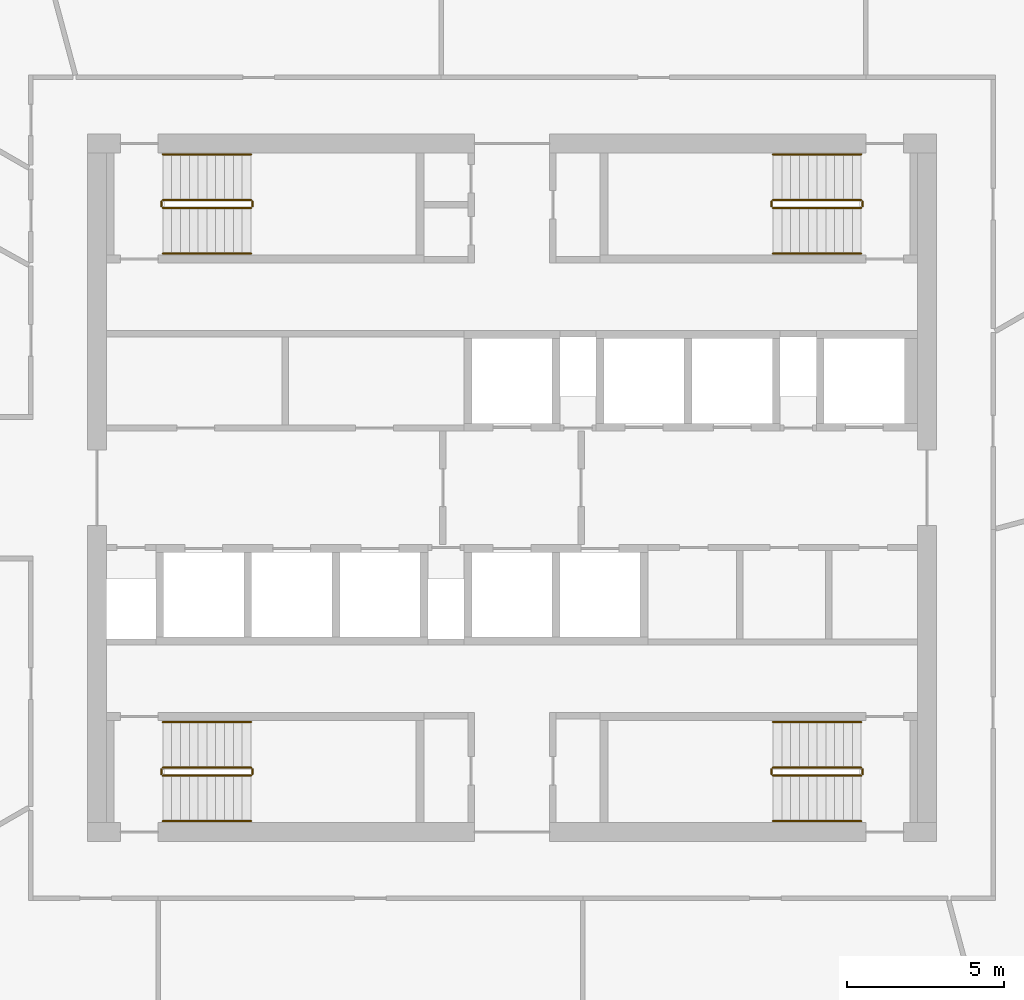
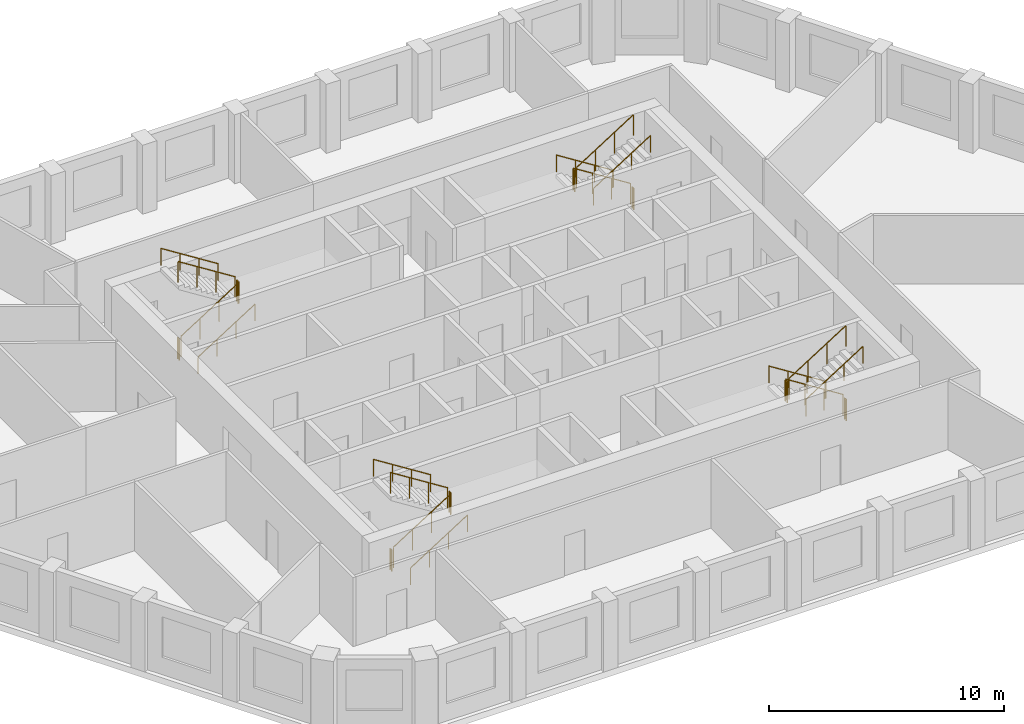
# One storey, part 7 of 7: 24 railings.
"""IFC4 building model written with IfcOpenShell, lengths in metres."""

from ifc_helpers import new_model, si_unit, direction, frame, origin, origin_2d, place, context, subcontext, project, spatial, circle, extrude, material, type_object, element, save


model = new_model("IFC4")

# Units and contexts
model_context = context("Model", 3, precision=1e-05, world=origin(), true_north=direction((0.0, 1.0)))
body_context = subcontext(model_context, "Body", "Model", "MODEL_VIEW")
ifc_project = project(units=[si_unit("LENGTHUNIT", "METRE"), si_unit("AREAUNIT", "SQUARE_METRE"), si_unit("VOLUMEUNIT", "CUBIC_METRE"), si_unit("PLANEANGLEUNIT", "RADIAN"), si_unit("MASSUNIT", "GRAM", prefix="KILO")], contexts=[model_context])

# Site, building, storey
site_placement = place(None, origin())
site = spatial("IfcSite", under=ifc_project, at=site_placement, CompositionType="ELEMENT")
building_placement = place(site_placement, origin())
building = spatial("IfcBuilding", under=site, at=building_placement, Name="Dhurran Vertical Campus", CompositionType="ELEMENT")
storey_placement = place(building_placement, frame((0.0, 0.0, 266.39990234375)))
storey = spatial("IfcBuildingStorey", under=building, at=storey_placement, Name="L66", CompositionType="ELEMENT", Elevation=266.39990234375)

# Railings
ifc_material_1 = material(Name="Stainless steel balustrade", Category="steel")
railing_type_1 = type_object("IfcRailingType", Name="co-RL-GUARD-1100", PredefinedType="GUARDRAIL", material=ifc_material_1)
railing_1_placement = place(storey_placement, frame((-11.10009765625, 8.89990234375, 0.177490234375)))
element("IfcRailing", 1, at=railing_1_placement, inside=storey, type_object=railing_type_1, Name="L66 ST1 stair guard 1", PredefinedType="GUARDRAIL", context=body_context, shape_type="SweptSolid", body=[
    extrude(circle(Radius=0.02392578125, at=origin_2d()), frame((0.0, 0.0, 1.076171875), z_axis=(0.844908973607, 0.0, 0.534910110503), x_axis=(0.0, 1.0, 0.0)), (0.0, 0.0, 1.0), 3.31396484375),
    extrude(circle(Radius=0.02099609375, at=origin_2d()), origin(), (0.0, 0.0, 1.0), 1.052001953125),
    extrude(circle(Radius=0.02099609375, at=origin_2d()), frame((0.933349609375, 0.0, 0.5908203125)), (0.0, 0.0, 1.0), 1.052001953125),
    extrude(circle(Radius=0.02099609375, at=origin_2d()), frame((1.86669921875, 0.0, 1.181884765625)), (0.0, 0.0, 1.0), 1.052001953125),
    extrude(circle(Radius=0.02099609375, at=origin_2d()), frame((2.800048828125, 0.0, 1.772705078125)), (0.0, 0.0, 1.0), 1.052001953125),
])
railing_2_placement = place(storey_placement, frame((-8.25, 8.949951171875, 1.9501953125)))
element("IfcRailing", 2, at=railing_2_placement, inside=storey, type_object=railing_type_1, Name="L66 ST1 stair guard 2", PredefinedType="GUARDRAIL", context=body_context, shape_type="SweptSolid", body=[
    extrude(circle(Radius=0.02392578125, at=origin_2d()), frame((0.0, 0.0, 1.076171875), z_axis=(0.0, 1.0, 0.0), x_axis=(-1.0, 0.0, 0.0)), (0.0, 0.0, 1.0), 0.150146484375),
    extrude(circle(Radius=0.02099609375, at=origin_2d()), origin(), (0.0, 0.0, 1.0), 1.052001953125),
    extrude(circle(Radius=0.02099609375, at=origin_2d()), frame((0.0, 0.150146484375, 0.0)), (0.0, 0.0, 1.0), 1.052001953125),
])
railing_3_placement = place(storey_placement, frame((-8.300048828125, 9.14990234375, 2.12744140625)))
element("IfcRailing", 3, at=railing_3_placement, inside=storey, type_object=railing_type_1, Name="L66 ST1 stair guard 3", PredefinedType="GUARDRAIL", context=body_context, shape_type="SweptSolid", body=[
    extrude(circle(Radius=0.02392578125, at=origin_2d()), frame((0.0, 0.0, 1.076171875), z_axis=(-0.844908973607, 0.0, 0.534910110503), x_axis=(0.0, -1.0, 0.0)), (0.0, 0.0, 1.0), 3.31396484375),
    extrude(circle(Radius=0.02099609375, at=origin_2d()), origin(), (0.0, 0.0, 1.0), 1.052001953125),
    extrude(circle(Radius=0.02099609375, at=origin_2d()), frame((-0.933349609375, 0.0, 0.5908203125)), (0.0, 0.0, 1.0), 1.052001953125),
    extrude(circle(Radius=0.02099609375, at=origin_2d()), frame((-1.86669921875, 0.0, 1.181884765625)), (0.0, 0.0, 1.0), 1.052001953125),
    extrude(circle(Radius=0.02099609375, at=origin_2d()), frame((-2.800048828125, 0.0, 1.772705078125)), (0.0, 0.0, 1.0), 1.052001953125),
])
railing_4_placement = place(storey_placement, frame((-11.14990234375, 8.949951171875, 0.0)))
element("IfcRailing", 4, at=railing_4_placement, inside=storey, type_object=railing_type_1, Name="L66 ST1 stair guard 4", PredefinedType="GUARDRAIL", context=body_context, shape_type="SweptSolid", body=[
    extrude(circle(Radius=0.02392578125, at=origin_2d()), frame((0.0, 0.0, 1.076171875), z_axis=(0.0, 1.0, 0.0), x_axis=(-1.0, 0.0, 0.0)), (0.0, 0.0, 1.0), 0.150146484375),
    extrude(circle(Radius=0.02099609375, at=origin_2d()), origin(), (0.0, 0.0, 1.0), 1.052001953125),
    extrude(circle(Radius=0.02099609375, at=origin_2d()), frame((0.0, 0.150146484375, 0.0)), (0.0, 0.0, 1.0), 1.052001953125),
])
railing_5_placement = place(storey_placement, frame((11.10009765625, 9.14990234375, 0.177490234375)))
element("IfcRailing", 5, at=railing_5_placement, inside=storey, type_object=railing_type_1, Name="L66 ST2 stair guard 1", PredefinedType="GUARDRAIL", context=body_context, shape_type="SweptSolid", body=[
    extrude(circle(Radius=0.02392578125, at=origin_2d()), frame((0.0, 0.0, 1.076171875), z_axis=(-0.844908973607, 0.0, 0.534910110503), x_axis=(0.0, -1.0, 0.0)), (0.0, 0.0, 1.0), 3.31396484375),
    extrude(circle(Radius=0.02099609375, at=origin_2d()), origin(), (0.0, 0.0, 1.0), 1.052001953125),
    extrude(circle(Radius=0.02099609375, at=origin_2d()), frame((-0.933349609375, 0.0, 0.5908203125)), (0.0, 0.0, 1.0), 1.052001953125),
    extrude(circle(Radius=0.02099609375, at=origin_2d()), frame((-1.86669921875, 0.0, 1.181884765625)), (0.0, 0.0, 1.0), 1.052001953125),
    extrude(circle(Radius=0.02099609375, at=origin_2d()), frame((-2.800048828125, 0.0, 1.772705078125)), (0.0, 0.0, 1.0), 1.052001953125),
])
railing_6_placement = place(storey_placement, frame((8.25, 9.10009765625, 1.9501953125)))
element("IfcRailing", 6, at=railing_6_placement, inside=storey, type_object=railing_type_1, Name="L66 ST2 stair guard 2", PredefinedType="GUARDRAIL", context=body_context, shape_type="SweptSolid", body=[
    extrude(circle(Radius=0.02392578125, at=origin_2d()), frame((0.0, 0.0, 1.076171875), z_axis=(0.0, -1.0, 0.0), x_axis=(1.0, 0.0, 0.0)), (0.0, 0.0, 1.0), 0.150146484375),
    extrude(circle(Radius=0.02099609375, at=origin_2d()), origin(), (0.0, 0.0, 1.0), 1.052001953125),
    extrude(circle(Radius=0.02099609375, at=origin_2d()), frame((0.0, -0.150146484375, 0.0)), (0.0, 0.0, 1.0), 1.052001953125),
])
railing_7_placement = place(storey_placement, frame((8.300048828125, 8.89990234375, 2.12744140625)))
element("IfcRailing", 7, at=railing_7_placement, inside=storey, type_object=railing_type_1, Name="L66 ST2 stair guard 3", PredefinedType="GUARDRAIL", context=body_context, shape_type="SweptSolid", body=[
    extrude(circle(Radius=0.02392578125, at=origin_2d()), frame((0.0, 0.0, 1.076171875), z_axis=(0.844908973607, 0.0, 0.534910110503), x_axis=(0.0, 1.0, 0.0)), (0.0, 0.0, 1.0), 3.31396484375),
    extrude(circle(Radius=0.02099609375, at=origin_2d()), origin(), (0.0, 0.0, 1.0), 1.052001953125),
    extrude(circle(Radius=0.02099609375, at=origin_2d()), frame((0.933349609375, 0.0, 0.5908203125)), (0.0, 0.0, 1.0), 1.052001953125),
    extrude(circle(Radius=0.02099609375, at=origin_2d()), frame((1.86669921875, 0.0, 1.181884765625)), (0.0, 0.0, 1.0), 1.052001953125),
    extrude(circle(Radius=0.02099609375, at=origin_2d()), frame((2.800048828125, 0.0, 1.772705078125)), (0.0, 0.0, 1.0), 1.052001953125),
])
railing_8_placement = place(storey_placement, frame((11.14990234375, 9.10009765625, 0.0)))
element("IfcRailing", 8, at=railing_8_placement, inside=storey, type_object=railing_type_1, Name="L66 ST2 stair guard 4", PredefinedType="GUARDRAIL", context=body_context, shape_type="SweptSolid", body=[
    extrude(circle(Radius=0.02392578125, at=origin_2d()), frame((0.0, 0.0, 1.076171875), z_axis=(0.0, -1.0, 0.0), x_axis=(1.0, 0.0, 0.0)), (0.0, 0.0, 1.0), 0.150146484375),
    extrude(circle(Radius=0.02099609375, at=origin_2d()), origin(), (0.0, 0.0, 1.0), 1.052001953125),
    extrude(circle(Radius=0.02099609375, at=origin_2d()), frame((0.0, -0.150146484375, 0.0)), (0.0, 0.0, 1.0), 1.052001953125),
])
railing_9_placement = place(storey_placement, frame((-11.10009765625, -9.14990234375, 0.177490234375)))
element("IfcRailing", 9, at=railing_9_placement, inside=storey, type_object=railing_type_1, Name="L66 ST3 stair guard 1", PredefinedType="GUARDRAIL", context=body_context, shape_type="SweptSolid", body=[
    extrude(circle(Radius=0.02392578125, at=origin_2d()), frame((0.0, 0.0, 1.076171875), z_axis=(0.844908973607, 0.0, 0.534910110503), x_axis=(0.0, 1.0, 0.0)), (0.0, 0.0, 1.0), 3.31396484375),
    extrude(circle(Radius=0.02099609375, at=origin_2d()), origin(), (0.0, 0.0, 1.0), 1.052001953125),
    extrude(circle(Radius=0.02099609375, at=origin_2d()), frame((0.933349609375, 0.0, 0.5908203125)), (0.0, 0.0, 1.0), 1.052001953125),
    extrude(circle(Radius=0.02099609375, at=origin_2d()), frame((1.86669921875, 0.0, 1.181884765625)), (0.0, 0.0, 1.0), 1.052001953125),
    extrude(circle(Radius=0.02099609375, at=origin_2d()), frame((2.800048828125, 0.0, 1.772705078125)), (0.0, 0.0, 1.0), 1.052001953125),
])
railing_10_placement = place(storey_placement, frame((-8.25, -9.10009765625, 1.9501953125)))
element("IfcRailing", 10, at=railing_10_placement, inside=storey, type_object=railing_type_1, Name="L66 ST3 stair guard 2", PredefinedType="GUARDRAIL", context=body_context, shape_type="SweptSolid", body=[
    extrude(circle(Radius=0.02392578125, at=origin_2d()), frame((0.0, 0.0, 1.076171875), z_axis=(0.0, 1.0, 0.0), x_axis=(-1.0, 0.0, 0.0)), (0.0, 0.0, 1.0), 0.150146484375),
    extrude(circle(Radius=0.02099609375, at=origin_2d()), origin(), (0.0, 0.0, 1.0), 1.052001953125),
    extrude(circle(Radius=0.02099609375, at=origin_2d()), frame((0.0, 0.150146484375, 0.0)), (0.0, 0.0, 1.0), 1.052001953125),
])
railing_11_placement = place(storey_placement, frame((-8.300048828125, -8.89990234375, 2.12744140625)))
element("IfcRailing", 11, at=railing_11_placement, inside=storey, type_object=railing_type_1, Name="L66 ST3 stair guard 3", PredefinedType="GUARDRAIL", context=body_context, shape_type="SweptSolid", body=[
    extrude(circle(Radius=0.02392578125, at=origin_2d()), frame((0.0, 0.0, 1.076171875), z_axis=(-0.844908973607, 0.0, 0.534910110503), x_axis=(0.0, -1.0, 0.0)), (0.0, 0.0, 1.0), 3.31396484375),
    extrude(circle(Radius=0.02099609375, at=origin_2d()), origin(), (0.0, 0.0, 1.0), 1.052001953125),
    extrude(circle(Radius=0.02099609375, at=origin_2d()), frame((-0.933349609375, 0.0, 0.5908203125)), (0.0, 0.0, 1.0), 1.052001953125),
    extrude(circle(Radius=0.02099609375, at=origin_2d()), frame((-1.86669921875, 0.0, 1.181884765625)), (0.0, 0.0, 1.0), 1.052001953125),
    extrude(circle(Radius=0.02099609375, at=origin_2d()), frame((-2.800048828125, 0.0, 1.772705078125)), (0.0, 0.0, 1.0), 1.052001953125),
])
railing_12_placement = place(storey_placement, frame((-11.14990234375, -9.10009765625, 0.0)))
element("IfcRailing", 12, at=railing_12_placement, inside=storey, type_object=railing_type_1, Name="L66 ST3 stair guard 4", PredefinedType="GUARDRAIL", context=body_context, shape_type="SweptSolid", body=[
    extrude(circle(Radius=0.02392578125, at=origin_2d()), frame((0.0, 0.0, 1.076171875), z_axis=(0.0, 1.0, 0.0), x_axis=(-1.0, 0.0, 0.0)), (0.0, 0.0, 1.0), 0.150146484375),
    extrude(circle(Radius=0.02099609375, at=origin_2d()), origin(), (0.0, 0.0, 1.0), 1.052001953125),
    extrude(circle(Radius=0.02099609375, at=origin_2d()), frame((0.0, 0.150146484375, 0.0)), (0.0, 0.0, 1.0), 1.052001953125),
])
railing_13_placement = place(storey_placement, frame((11.10009765625, -8.89990234375, 0.177490234375)))
element("IfcRailing", 13, at=railing_13_placement, inside=storey, type_object=railing_type_1, Name="L66 ST4 stair guard 1", PredefinedType="GUARDRAIL", context=body_context, shape_type="SweptSolid", body=[
    extrude(circle(Radius=0.02392578125, at=origin_2d()), frame((0.0, 0.0, 1.076171875), z_axis=(-0.844908973607, 0.0, 0.534910110503), x_axis=(0.0, -1.0, 0.0)), (0.0, 0.0, 1.0), 3.31396484375),
    extrude(circle(Radius=0.02099609375, at=origin_2d()), origin(), (0.0, 0.0, 1.0), 1.052001953125),
    extrude(circle(Radius=0.02099609375, at=origin_2d()), frame((-0.933349609375, 0.0, 0.5908203125)), (0.0, 0.0, 1.0), 1.052001953125),
    extrude(circle(Radius=0.02099609375, at=origin_2d()), frame((-1.86669921875, 0.0, 1.181884765625)), (0.0, 0.0, 1.0), 1.052001953125),
    extrude(circle(Radius=0.02099609375, at=origin_2d()), frame((-2.800048828125, 0.0, 1.772705078125)), (0.0, 0.0, 1.0), 1.052001953125),
])
railing_14_placement = place(storey_placement, frame((8.25, -8.949951171875, 1.9501953125)))
element("IfcRailing", 14, at=railing_14_placement, inside=storey, type_object=railing_type_1, Name="L66 ST4 stair guard 2", PredefinedType="GUARDRAIL", context=body_context, shape_type="SweptSolid", body=[
    extrude(circle(Radius=0.02392578125, at=origin_2d()), frame((0.0, 0.0, 1.076171875), z_axis=(0.0, -1.0, 0.0), x_axis=(1.0, 0.0, 0.0)), (0.0, 0.0, 1.0), 0.150146484375),
    extrude(circle(Radius=0.02099609375, at=origin_2d()), origin(), (0.0, 0.0, 1.0), 1.052001953125),
    extrude(circle(Radius=0.02099609375, at=origin_2d()), frame((0.0, -0.150146484375, 0.0)), (0.0, 0.0, 1.0), 1.052001953125),
])
railing_15_placement = place(storey_placement, frame((8.300048828125, -9.14990234375, 2.12744140625)))
element("IfcRailing", 15, at=railing_15_placement, inside=storey, type_object=railing_type_1, Name="L66 ST4 stair guard 3", PredefinedType="GUARDRAIL", context=body_context, shape_type="SweptSolid", body=[
    extrude(circle(Radius=0.02392578125, at=origin_2d()), frame((0.0, 0.0, 1.076171875), z_axis=(0.844908973607, 0.0, 0.534910110503), x_axis=(0.0, 1.0, 0.0)), (0.0, 0.0, 1.0), 3.31396484375),
    extrude(circle(Radius=0.02099609375, at=origin_2d()), origin(), (0.0, 0.0, 1.0), 1.052001953125),
    extrude(circle(Radius=0.02099609375, at=origin_2d()), frame((0.933349609375, 0.0, 0.5908203125)), (0.0, 0.0, 1.0), 1.052001953125),
    extrude(circle(Radius=0.02099609375, at=origin_2d()), frame((1.86669921875, 0.0, 1.181884765625)), (0.0, 0.0, 1.0), 1.052001953125),
    extrude(circle(Radius=0.02099609375, at=origin_2d()), frame((2.800048828125, 0.0, 1.772705078125)), (0.0, 0.0, 1.0), 1.052001953125),
])
railing_16_placement = place(storey_placement, frame((11.14990234375, -8.949951171875, 0.0)))
element("IfcRailing", 16, at=railing_16_placement, inside=storey, type_object=railing_type_1, Name="L66 ST4 stair guard 4", PredefinedType="GUARDRAIL", context=body_context, shape_type="SweptSolid", body=[
    extrude(circle(Radius=0.02392578125, at=origin_2d()), frame((0.0, 0.0, 1.076171875), z_axis=(0.0, -1.0, 0.0), x_axis=(1.0, 0.0, 0.0)), (0.0, 0.0, 1.0), 0.150146484375),
    extrude(circle(Radius=0.02099609375, at=origin_2d()), origin(), (0.0, 0.0, 1.0), 1.052001953125),
    extrude(circle(Radius=0.02099609375, at=origin_2d()), frame((0.0, -0.150146484375, 0.0)), (0.0, 0.0, 1.0), 1.052001953125),
])
ifc_material_2 = material(Name="Stainless steel handrail", Category="steel")
railing_type_2 = type_object("IfcRailingType", Name="co-RL-HANDRAIL-900", PredefinedType="HANDRAIL", material=ifc_material_2)
railing_17_placement = place(storey_placement, frame((-11.10009765625, 7.449951171875, 0.177490234375)))
element("IfcRailing", 17, at=railing_17_placement, inside=storey, type_object=railing_type_2, Name="L66 ST1 stair handrail 1", PredefinedType="HANDRAIL", context=body_context, shape_type="SweptSolid", body=[
    extrude(circle(Radius=0.02392578125, at=origin_2d()), frame((0.0, 0.0, 0.8759765625), z_axis=(0.844908973607, 0.0, 0.534910110503), x_axis=(0.0, 1.0, 0.0)), (0.0, 0.0, 1.0), 3.31396484375),
    extrude(circle(Radius=0.02099609375, at=origin_2d()), origin(), (0.0, 0.0, 1.0), 0.851806640625),
    extrude(circle(Radius=0.02099609375, at=origin_2d()), frame((0.933349609375, 0.0, 0.5908203125)), (0.0, 0.0, 1.0), 0.851806640625),
    extrude(circle(Radius=0.02099609375, at=origin_2d()), frame((1.86669921875, 0.0, 1.181884765625)), (0.0, 0.0, 1.0), 0.851806640625),
    extrude(circle(Radius=0.02099609375, at=origin_2d()), frame((2.800048828125, 0.0, 1.772705078125)), (0.0, 0.0, 1.0), 0.851806640625),
])
for number, where, name in (
    (18, (-8.300048828125, 10.60009765625, 2.12744140625), "L66 ST1 stair handrail 2"),
    (19, (11.10009765625, 10.60009765625, 0.177490234375), "L66 ST2 stair handrail 1"),
):
    element("IfcRailing", number, at=place(storey_placement, frame(where)), inside=storey, type_object=railing_type_2, Name=name, PredefinedType="HANDRAIL", context=body_context, shape_type="SweptSolid", body=[
        extrude(circle(Radius=0.02392578125, at=origin_2d()), frame((0.0, 0.0, 0.8759765625), z_axis=(-0.844908973607, 0.0, 0.534910110503), x_axis=(0.0, -1.0, 0.0)), (0.0, 0.0, 1.0), 3.31396484375),
        extrude(circle(Radius=0.02099609375, at=origin_2d()), origin(), (0.0, 0.0, 1.0), 0.851806640625),
        extrude(circle(Radius=0.02099609375, at=origin_2d()), frame((-0.933349609375, 0.0, 0.5908203125)), (0.0, 0.0, 1.0), 0.851806640625),
        extrude(circle(Radius=0.02099609375, at=origin_2d()), frame((-1.86669921875, 0.0, 1.181884765625)), (0.0, 0.0, 1.0), 0.851806640625),
        extrude(circle(Radius=0.02099609375, at=origin_2d()), frame((-2.800048828125, 0.0, 1.772705078125)), (0.0, 0.0, 1.0), 0.851806640625),
    ])
for number, where, name in (
    (20, (8.300048828125, 7.449951171875, 2.12744140625), "L66 ST2 stair handrail 2"),
    (21, (-11.10009765625, -10.60009765625, 0.177490234375), "L66 ST3 stair handrail 1"),
):
    element("IfcRailing", number, at=place(storey_placement, frame(where)), inside=storey, type_object=railing_type_2, Name=name, PredefinedType="HANDRAIL", context=body_context, shape_type="SweptSolid", body=[
        extrude(circle(Radius=0.02392578125, at=origin_2d()), frame((0.0, 0.0, 0.8759765625), z_axis=(0.844908973607, 0.0, 0.534910110503), x_axis=(0.0, 1.0, 0.0)), (0.0, 0.0, 1.0), 3.31396484375),
        extrude(circle(Radius=0.02099609375, at=origin_2d()), origin(), (0.0, 0.0, 1.0), 0.851806640625),
        extrude(circle(Radius=0.02099609375, at=origin_2d()), frame((0.933349609375, 0.0, 0.5908203125)), (0.0, 0.0, 1.0), 0.851806640625),
        extrude(circle(Radius=0.02099609375, at=origin_2d()), frame((1.86669921875, 0.0, 1.181884765625)), (0.0, 0.0, 1.0), 0.851806640625),
        extrude(circle(Radius=0.02099609375, at=origin_2d()), frame((2.800048828125, 0.0, 1.772705078125)), (0.0, 0.0, 1.0), 0.851806640625),
    ])
for number, where, name in (
    (22, (-8.300048828125, -7.449951171875, 2.12744140625), "L66 ST3 stair handrail 2"),
    (23, (11.10009765625, -7.449951171875, 0.177490234375), "L66 ST4 stair handrail 1"),
):
    element("IfcRailing", number, at=place(storey_placement, frame(where)), inside=storey, type_object=railing_type_2, Name=name, PredefinedType="HANDRAIL", context=body_context, shape_type="SweptSolid", body=[
        extrude(circle(Radius=0.02392578125, at=origin_2d()), frame((0.0, 0.0, 0.8759765625), z_axis=(-0.844908973607, 0.0, 0.534910110503), x_axis=(0.0, -1.0, 0.0)), (0.0, 0.0, 1.0), 3.31396484375),
        extrude(circle(Radius=0.02099609375, at=origin_2d()), origin(), (0.0, 0.0, 1.0), 0.851806640625),
        extrude(circle(Radius=0.02099609375, at=origin_2d()), frame((-0.933349609375, 0.0, 0.5908203125)), (0.0, 0.0, 1.0), 0.851806640625),
        extrude(circle(Radius=0.02099609375, at=origin_2d()), frame((-1.86669921875, 0.0, 1.181884765625)), (0.0, 0.0, 1.0), 0.851806640625),
        extrude(circle(Radius=0.02099609375, at=origin_2d()), frame((-2.800048828125, 0.0, 1.772705078125)), (0.0, 0.0, 1.0), 0.851806640625),
    ])
railing_18_placement = place(storey_placement, frame((8.300048828125, -10.60009765625, 2.12744140625)))
element("IfcRailing", 24, at=railing_18_placement, inside=storey, type_object=railing_type_2, Name="L66 ST4 stair handrail 2", PredefinedType="HANDRAIL", context=body_context, shape_type="SweptSolid", body=[
    extrude(circle(Radius=0.02392578125, at=origin_2d()), frame((0.0, 0.0, 0.8759765625), z_axis=(0.844908973607, 0.0, 0.534910110503), x_axis=(0.0, 1.0, 0.0)), (0.0, 0.0, 1.0), 3.31396484375),
    extrude(circle(Radius=0.02099609375, at=origin_2d()), origin(), (0.0, 0.0, 1.0), 0.851806640625),
    extrude(circle(Radius=0.02099609375, at=origin_2d()), frame((0.933349609375, 0.0, 0.5908203125)), (0.0, 0.0, 1.0), 0.851806640625),
    extrude(circle(Radius=0.02099609375, at=origin_2d()), frame((1.86669921875, 0.0, 1.181884765625)), (0.0, 0.0, 1.0), 0.851806640625),
    extrude(circle(Radius=0.02099609375, at=origin_2d()), frame((2.800048828125, 0.0, 1.772705078125)), (0.0, 0.0, 1.0), 0.851806640625),
])

save(model, "model.ifc")
